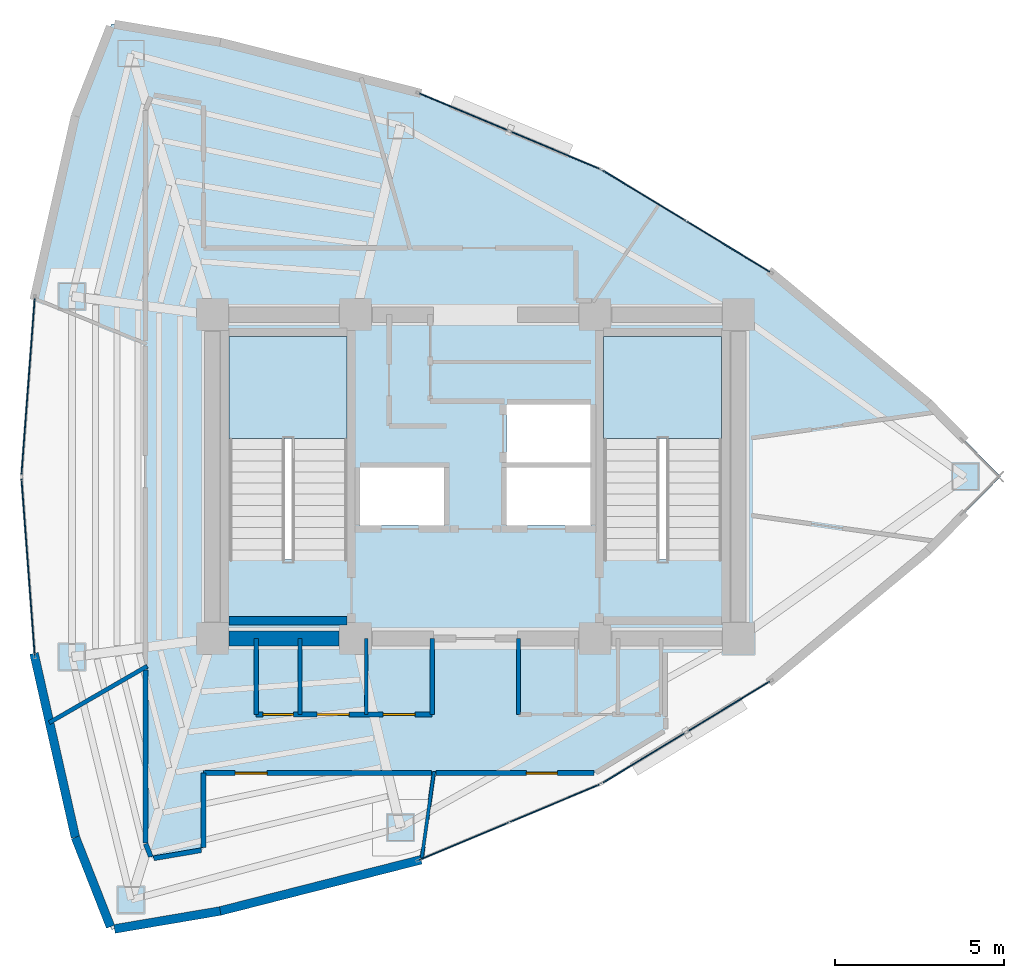
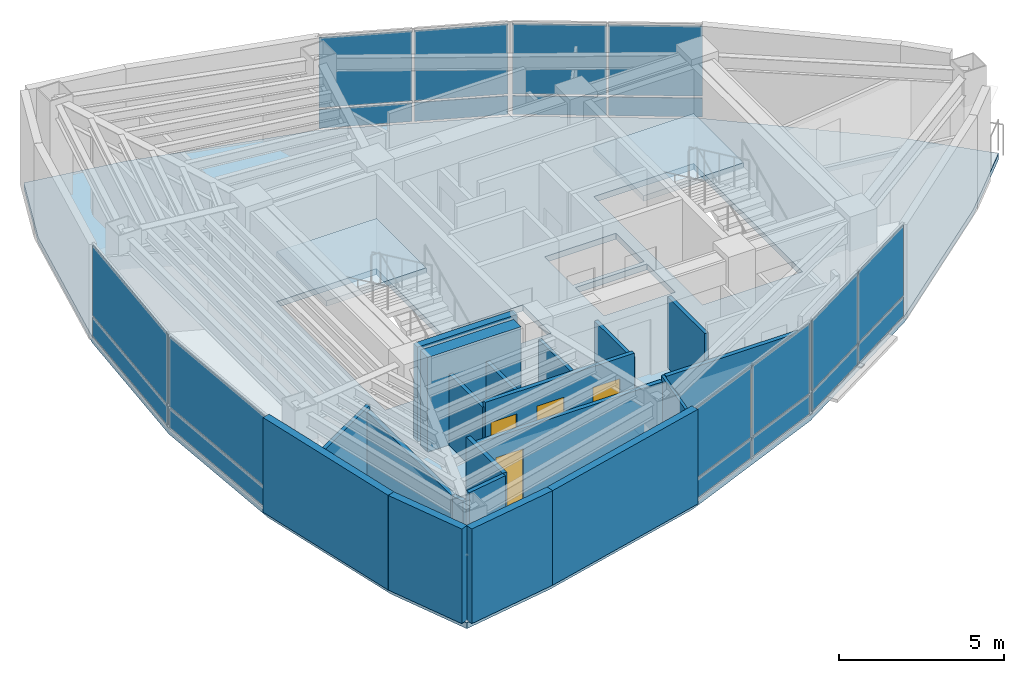
# One storey, part 11 of 15: 20 plates, 20 walls, 5 doors, 3 slabs, 5 openings, 8 elements without a shape of their own.
"""IFC4 building model written with IfcOpenShell, lengths in metres."""

import ifcopenshell
import ifcopenshell.guid

model = None  # the IFC model being written
_history = None  # IfcOwnerHistory: only IFC2X3 demands one
_inside = {}  # id of a spatial element -> (the spatial element, [elements in it])
_under = {}  # id of a project, library or spatial element -> (it, [spatial elements below it])
_declared = {}  # id of a project -> (the project, [libraries it declares])
_typed = {}  # id of a type object -> (the type object, [elements of that type])
_made_of = {}  # id of a material, layer set ... -> (it, [elements and type objects made of it])


def new_model(schema):
    """Start an empty IFC model of exactly this schema.

    Asked for "IFC4X3", IfcOpenShell would pick the latest addendum, in which some entities
    have other attributes; the version numbers below select the first issue.
    IFC2X3 requires an IfcOwnerHistory on every rooted entity: one is made here for all.
    """
    global model, _history
    if schema == "IFC4X3":
        model = ifcopenshell.file(schema_version=(4, 3, 0, 0))
    else:
        model = ifcopenshell.file(schema=schema)
    _inside.clear()
    _under.clear()
    _declared.clear()
    _typed.clear()
    _made_of.clear()
    _history = None
    if model.schema == "IFC2X3":
        org = make("IfcOrganization", Name="unknown")
        user = make(
            "IfcPersonAndOrganization",
            ThePerson=make("IfcPerson", FamilyName="unknown"),
            TheOrganization=org,
        )
        app = make(
            "IfcApplication",
            ApplicationDeveloper=org,
            Version="unknown",
            ApplicationFullName="unknown",
            ApplicationIdentifier="unknown",
        )
        _history = make(
            "IfcOwnerHistory",
            OwningUser=user,
            OwningApplication=app,
            ChangeAction="ADDED",
            CreationDate=0,
        )
    return model


def make(cls, **values):
    """One entity of the class cls with the attributes given. An attribute that is None is left unset."""
    return model.create_entity(
        cls, **{name: value for name, value in values.items() if value is not None}
    )


def rooted(cls, **values):
    """An entity with a GlobalId (a new one), such as an element, a storey or a relation."""
    return make(cls, GlobalId=ifcopenshell.guid.new(), OwnerHistory=_history, **values)


def si_unit(unit_type, name, prefix=None):
    """IfcSIUnit, for example si_unit("LENGTHUNIT", "METRE", prefix="MILLI")."""
    return make("IfcSIUnit", UnitType=unit_type, Prefix=prefix, Name=name)


def assignment(units):
    """IfcUnitAssignment: the units of a project."""
    return None if units is None else make("IfcUnitAssignment", Units=units)


def point(xyz):
    """IfcCartesianPoint."""
    return None if xyz is None else make("IfcCartesianPoint", Coordinates=xyz)


def direction(xyz):
    """IfcDirection."""
    return None if xyz is None else make("IfcDirection", DirectionRatios=xyz)


def frame(location, z_axis=None, x_axis=None):
    """IfcAxis2Placement3D, a coordinate frame: its origin and axes. An axis left out is left unset."""
    return make(
        "IfcAxis2Placement3D",
        Location=point(location),
        Axis=direction(z_axis),
        RefDirection=direction(x_axis),
    )


def frame_2d(location, x_axis=None):
    """IfcAxis2Placement2D, a coordinate frame in the plane: its origin and x axis."""
    return make(
        "IfcAxis2Placement2D", Location=point(location), RefDirection=direction(x_axis)
    )


def origin():
    """The frame at (0, 0, 0) with its axes left unset."""
    return frame((0.0, 0.0, 0.0))


def origin_2d():
    """The frame at (0, 0) in the plane with its x axis left unset."""
    return frame_2d((0.0, 0.0))


def place(relative_to, where):
    """IfcLocalPlacement: puts the frame where relative to a parent placement (None: the world)."""
    return make(
        "IfcLocalPlacement", PlacementRelTo=relative_to, RelativePlacement=where
    )


def context(
    kind, dimensions, precision=None, world=None, true_north=None, identifier=None
):
    """IfcGeometricRepresentationContext, for example the 3D "Model" context."""
    return make(
        "IfcGeometricRepresentationContext",
        ContextIdentifier=identifier,
        ContextType=kind,
        CoordinateSpaceDimension=dimensions,
        Precision=precision,
        WorldCoordinateSystem=world,
        TrueNorth=true_north,
    )


def subcontext(parent, identifier, kind, view, scale=None):
    """IfcGeometricRepresentationSubContext, for example "Body" below "Model"."""
    return make(
        "IfcGeometricRepresentationSubContext",
        ContextIdentifier=identifier,
        ContextType=kind,
        ParentContext=parent,
        TargetScale=scale,
        TargetView=view,
    )


def project(units=None, contexts=None):
    """IfcProject with its units and contexts."""
    return rooted(
        "IfcProject",
        Name="project",
        RepresentationContexts=contexts,
        UnitsInContext=assignment(units),
    )


def spatial(cls, under=None, at=None, **own):
    """A site, building, storey or space (cls), placed at a placement, below another one or the project."""
    s = rooted(cls, ObjectPlacement=at, **own)
    if under is not None:
        _under.setdefault(under.id(), (under, []))[1].append(s)
    return s


def polyline(points):
    """IfcPolyline through the points."""
    return make("IfcPolyline", Points=[point(p) for p in points])


def profile(cls, at=None, kind="AREA", **sizes):
    """A parametric profile (cls). Its sizes go by their IFC names, for example OverallWidth=200.0."""
    return make(cls, ProfileType=kind, Position=at, **sizes)


def rectangle(**sizes):
    """IfcRectangleProfileDef."""
    return profile("IfcRectangleProfileDef", **sizes)


def outline(outer, holes=None, kind="AREA"):
    """IfcArbitraryClosedProfileDef: a profile drawn as a closed curve; with holes, ...WithVoids."""
    if holes is None:
        return make("IfcArbitraryClosedProfileDef", ProfileType=kind, OuterCurve=outer)
    return make(
        "IfcArbitraryProfileDefWithVoids",
        ProfileType=kind,
        OuterCurve=outer,
        InnerCurves=holes,
    )


def extrude(swept, where, along, depth):
    """IfcExtrudedAreaSolid: the profile swept, set in the frame where, extruded along a direction by depth."""
    return make(
        "IfcExtrudedAreaSolid",
        SweptArea=swept,
        Position=where,
        ExtrudedDirection=direction(along),
        Depth=depth,
    )


def shape(context_of_items, identifier, shape_type, items):
    """IfcShapeRepresentation: the items that make up one representation, for example the "Body"."""
    return make(
        "IfcShapeRepresentation",
        ContextOfItems=context_of_items,
        RepresentationIdentifier=identifier,
        RepresentationType=shape_type,
        Items=items,
    )


def material(Name=None, Category=None):
    """IfcMaterial."""
    return make("IfcMaterial", Name=Name, Category=Category)


def layer(
    of_material, thickness, ventilated=None, Name=None, Category=None, Priority=None
):
    """IfcMaterialLayer: one layer of a wall or slab, of a material (None: an air gap)."""
    return make(
        "IfcMaterialLayer",
        Material=of_material,
        LayerThickness=thickness,
        IsVentilated=ventilated,
        Name=Name,
        Category=Category,
        Priority=Priority,
    )


def layer_set(layers, Name=None):
    """IfcMaterialLayerSet."""
    return make("IfcMaterialLayerSet", MaterialLayers=layers, LayerSetName=Name)


def made_of(thing, what):
    """Note that an element or type object is made of a material, layer set ...; save() writes the relation."""
    if what is not None:
        _made_of.setdefault(what.id(), (what, []))[1].append(thing)
    return thing


def type_object(cls, material=None, **own):
    """A type object (cls), such as IfcWallType, which elements share."""
    return made_of(rooted(cls, **own), material)


def element(
    cls,
    number,
    at=None,
    inside=None,
    cuts=None,
    type_object=None,
    material=None,
    context=None,
    identifier="Body",
    shape_type=None,
    held_by="IfcProductDefinitionShape",
    body=None,
    shapes=None,
    **own,
):
    """One element of the class cls, such as IfcWall. Its Tag is "e" and its number.

    at: its placement. inside: the storey or other place that contains it. cuts: it is an
    opening in that element (IfcRelVoidsElement). A single representation is given by context,
    identifier, shape_type and body (its items); several are given by shapes. held_by: the class
    of the entity that holds the representations. save() writes the other relations.
    """
    e = rooted(cls, Tag="e%d" % number, ObjectPlacement=at, **own)
    if body is not None:
        shapes = [shape(context, identifier, shape_type, body)]
    if shapes is not None:
        e.Representation = make(held_by, Representations=shapes)
    if inside is not None:
        _inside.setdefault(inside.id(), (inside, []))[1].append(e)
    if cuts is not None:
        rooted(
            "IfcRelVoidsElement", RelatingBuildingElement=cuts, RelatedOpeningElement=e
        )
    if type_object is not None:
        _typed.setdefault(type_object.id(), (type_object, []))[1].append(e)
    return made_of(e, material)


def fill(opening, filler):
    """IfcRelFillsElement: the door or window that sits in an opening."""
    return rooted(
        "IfcRelFillsElement",
        RelatingOpeningElement=opening,
        RelatedBuildingElement=filler,
    )


def aggregate(whole, parts):
    """IfcRelAggregates: a whole, such as a stair, and the parts it consists of."""
    return rooted("IfcRelAggregates", RelatingObject=whole, RelatedObjects=parts)


def save(model, path):
    """Write the relations noted so far, then the file.

    IfcRelAggregates (storeys below a building ...), IfcRelContainedInSpatialStructure (elements
    in a storey), IfcRelDefinesByType, IfcRelAssociatesMaterial and IfcRelDeclares: one each for
    every whole, place, type object, material and project.
    """
    for whole, parts in _under.values():
        aggregate(whole, parts)
    for where, things in _inside.values():
        rooted(
            "IfcRelContainedInSpatialStructure",
            RelatedElements=things,
            RelatingStructure=where,
        )
    for kind, things in _typed.values():
        rooted("IfcRelDefinesByType", RelatedObjects=things, RelatingType=kind)
    for what, things in _made_of.values():
        rooted("IfcRelAssociatesMaterial", RelatedObjects=things, RelatingMaterial=what)
    for by, libraries in _declared.values():
        rooted("IfcRelDeclares", RelatingContext=by, RelatedDefinitions=libraries)
    model.write(path)


model = new_model("IFC4")

# Units and contexts
model_context = context("Model", 3, precision=1e-05, world=origin(), true_north=direction((0.0, 1.0)))
body_context = subcontext(model_context, "Body", "Model", "MODEL_VIEW")
ifc_project = project(units=[si_unit("LENGTHUNIT", "METRE"), si_unit("AREAUNIT", "SQUARE_METRE"), si_unit("VOLUMEUNIT", "CUBIC_METRE"), si_unit("PLANEANGLEUNIT", "RADIAN"), si_unit("MASSUNIT", "GRAM", prefix="KILO")], contexts=[model_context])

# Site, building, storey
site_placement = place(None, origin())
site = spatial("IfcSite", under=ifc_project, at=site_placement, CompositionType="ELEMENT")
building_placement = place(site_placement, origin())
building = spatial("IfcBuilding", under=site, at=building_placement, Name="Menara Vayukalpa", CompositionType="ELEMENT")
storey_placement = place(building_placement, frame((0.0, 0.0, 288.06005859375)))
storey = spatial("IfcBuildingStorey", under=building, at=storey_placement, Name="L73", CompositionType="ELEMENT", Elevation=288.06005859375)

# Curtain wall, plates
ifc_material_1 = material(Name="Anodised Terracotta Aluminium Alloy 6063-T6", Category="masonry")
ifc_layer_1 = layer(ifc_material_1, 0.1650390625)
ifc_layer_set_1 = layer_set([ifc_layer_1], Name="Anodised Terracotta Aluminium Alloy 6063-T6")
curtain_wall_type = type_object("IfcCurtainWallType", Name="CW-CW6", PredefinedType="USERDEFINED", material=ifc_layer_set_1)
curtain_wall_1_placement = place(storey_placement, origin())
curtain_wall_1 = element("IfcCurtainWall", 1, at=curtain_wall_1_placement, inside=storey, type_object=curtain_wall_type, Name="L73 Observation and Executive Curtain Wall CW6 04", ObjectType="UNITISED", PredefinedType="USERDEFINED")
ifc_material_2 = material(Name="Low-E Double Glazing", Category="glass")
ifc_layer_2 = layer(ifc_material_2, 0.033935546875)
ifc_layer_set_2 = layer_set([ifc_layer_2], Name="Low-E Double Glazing")
plate_type = type_object("IfcPlateType", Name="CWP-CW6", PredefinedType="CURTAIN_PANEL", material=ifc_layer_set_2)
plate_1_placement = place(storey_placement, frame((33.102783203125, 28.814208984375, 0.074951171875), z_axis=(0.0, 0.0, 1.0), x_axis=(-0.854667609532, 0.519175574558, 0.0)))
plate_1 = element("IfcPlate", 2, at=plate_1_placement, type_object=plate_type, Name="CW6 panel 1.1", PredefinedType="CURTAIN_PANEL", context=body_context, shape_type="SweptSolid", body=[
    extrude(rectangle(XDim=2.8486328125, YDim=0.033935546875, at=origin_2d()), origin(), (0.0, 0.0, 1.0), 0.6875),
])
plate_2_placement = place(storey_placement, frame((33.102783203125, 28.814208984375, 0.83740234375), z_axis=(0.0, 0.0, 1.0), x_axis=(-0.854667609532, 0.519175574558, 0.0)))
plate_2 = element("IfcPlate", 3, at=plate_2_placement, type_object=plate_type, Name="CW6 panel 1.2", PredefinedType="CURTAIN_PANEL", context=body_context, shape_type="SweptSolid", body=[
    extrude(rectangle(XDim=2.8486328125, YDim=0.033935546875, at=origin_2d()), origin(), (0.0, 0.0, 1.0), 2.58740234375),
])
plate_3_placement = place(storey_placement, frame((30.608154296875, 30.329345703125, 0.074951171875), z_axis=(0.0, 0.0, 1.0), x_axis=(-0.854667609532, 0.519175574558, 0.0)))
plate_3 = element("IfcPlate", 4, at=plate_3_placement, type_object=plate_type, Name="CW6 panel 2.1", PredefinedType="CURTAIN_PANEL", context=body_context, shape_type="SweptSolid", body=[
    extrude(rectangle(XDim=2.8486328125, YDim=0.033935546875, at=origin_2d()), origin(), (0.0, 0.0, 1.0), 0.6875),
])
plate_4_placement = place(storey_placement, frame((30.608154296875, 30.329345703125, 0.83740234375), z_axis=(0.0, 0.0, 1.0), x_axis=(-0.854667609532, 0.519175574558, 0.0)))
plate_4 = element("IfcPlate", 5, at=plate_4_placement, type_object=plate_type, Name="CW6 panel 2.2", PredefinedType="CURTAIN_PANEL", context=body_context, shape_type="SweptSolid", body=[
    extrude(rectangle(XDim=2.8486328125, YDim=0.033935546875, at=origin_2d()), origin(), (0.0, 0.0, 1.0), 2.58740234375),
])
aggregate(curtain_wall_1, [plate_1, plate_2, plate_3, plate_4])

curtain_wall_2_placement = place(storey_placement, origin())
curtain_wall_2 = element("IfcCurtainWall", 6, at=curtain_wall_2_placement, inside=storey, type_object=curtain_wall_type, Name="L73 Observation and Executive Curtain Wall CW6 05", ObjectType="UNITISED", PredefinedType="USERDEFINED")
plate_5_placement = place(storey_placement, frame((27.952392578125, 31.681884765625, 0.074951171875), z_axis=(0.0, 0.0, 1.0), x_axis=(-0.922540653927, 0.385899911703, 0.0)))
plate_5 = element("IfcPlate", 7, at=plate_5_placement, type_object=plate_type, Name="CW6 panel 1.1", PredefinedType="CURTAIN_PANEL", context=body_context, shape_type="SweptSolid", body=[
    extrude(rectangle(XDim=2.8486328125, YDim=0.033935546875, at=origin_2d()), origin(), (0.0, 0.0, 1.0), 0.6875),
])
plate_6_placement = place(storey_placement, frame((27.952392578125, 31.681884765625, 0.83740234375), z_axis=(0.0, 0.0, 1.0), x_axis=(-0.922540653927, 0.385899911703, 0.0)))
plate_6 = element("IfcPlate", 8, at=plate_6_placement, type_object=plate_type, Name="CW6 panel 1.2", PredefinedType="CURTAIN_PANEL", context=body_context, shape_type="SweptSolid", body=[
    extrude(rectangle(XDim=2.8486328125, YDim=0.033935546875, at=origin_2d()), origin(), (0.0, 0.0, 1.0), 2.58740234375),
])
plate_7_placement = place(storey_placement, frame((25.259765625, 32.808349609375, 0.074951171875), z_axis=(0.0, 0.0, 1.0), x_axis=(-0.922540653927, 0.385899911703, 0.0)))
plate_7 = element("IfcPlate", 9, at=plate_7_placement, type_object=plate_type, Name="CW6 panel 2.1", PredefinedType="CURTAIN_PANEL", context=body_context, shape_type="SweptSolid", body=[
    extrude(rectangle(XDim=2.8486328125, YDim=0.033935546875, at=origin_2d()), origin(), (0.0, 0.0, 1.0), 0.6875),
])
plate_8_placement = place(storey_placement, frame((25.259765625, 32.808349609375, 0.83740234375), z_axis=(0.0, 0.0, 1.0), x_axis=(-0.922540653927, 0.385899911703, 0.0)))
plate_8 = element("IfcPlate", 10, at=plate_8_placement, type_object=plate_type, Name="CW6 panel 2.2", PredefinedType="CURTAIN_PANEL", context=body_context, shape_type="SweptSolid", body=[
    extrude(rectangle(XDim=2.8486328125, YDim=0.033935546875, at=origin_2d()), origin(), (0.0, 0.0, 1.0), 2.58740234375),
])
aggregate(curtain_wall_2, [plate_5, plate_6, plate_7, plate_8])

curtain_wall_3_placement = place(storey_placement, origin())
curtain_wall_3 = element("IfcCurtainWall", 11, at=curtain_wall_3_placement, inside=storey, type_object=curtain_wall_type, Name="L73 Observation and Executive Curtain Wall CW6 10", ObjectType="UNITISED", PredefinedType="USERDEFINED")
plate_9_placement = place(storey_placement, frame((12.33837890625, 24.67333984375, 0.074951171875), z_axis=(0.0, 0.0, 1.0), x_axis=(-0.074789484574, -0.997199344663, 0.0)))
plate_9 = element("IfcPlate", 12, at=plate_9_placement, type_object=plate_type, Name="CW6 panel 1.1", PredefinedType="CURTAIN_PANEL", context=body_context, shape_type="SweptSolid", body=[
    extrude(rectangle(XDim=5.2216796875, YDim=0.033935546875, at=origin_2d()), origin(), (0.0, 0.0, 1.0), 0.6875),
])
plate_10_placement = place(storey_placement, frame((12.33837890625, 24.67333984375, 0.83740234375), z_axis=(0.0, 0.0, 1.0), x_axis=(-0.074789484574, -0.997199344663, 0.0)))
plate_10 = element("IfcPlate", 13, at=plate_10_placement, type_object=plate_type, Name="CW6 panel 1.2", PredefinedType="CURTAIN_PANEL", context=body_context, shape_type="SweptSolid", body=[
    extrude(rectangle(XDim=5.2216796875, YDim=0.033935546875, at=origin_2d()), origin(), (0.0, 0.0, 1.0), 2.58740234375),
])
aggregate(curtain_wall_3, [plate_9, plate_10])

curtain_wall_4_placement = place(storey_placement, origin())
curtain_wall_4 = element("IfcCurtainWall", 14, at=curtain_wall_4_placement, inside=storey, type_object=curtain_wall_type, Name="L73 Observation and Executive Curtain Wall CW6 11", ObjectType="UNITISED", PredefinedType="USERDEFINED")
plate_11_placement = place(storey_placement, frame((12.33837890625, 19.32666015625, 0.074951171875), z_axis=(0.0, 0.0, 1.0), x_axis=(0.074789484574, -0.997199344663, 0.0)))
plate_11 = element("IfcPlate", 15, at=plate_11_placement, type_object=plate_type, Name="CW6 panel 1.1", PredefinedType="CURTAIN_PANEL", context=body_context, shape_type="SweptSolid", body=[
    extrude(rectangle(XDim=5.2216796875, YDim=0.033935546875, at=origin_2d()), origin(), (0.0, 0.0, 1.0), 0.6875),
])
plate_12_placement = place(storey_placement, frame((12.33837890625, 19.32666015625, 0.83740234375), z_axis=(0.0, 0.0, 1.0), x_axis=(0.074789484574, -0.997199344663, 0.0)))
plate_12 = element("IfcPlate", 16, at=plate_12_placement, type_object=plate_type, Name="CW6 panel 1.2", PredefinedType="CURTAIN_PANEL", context=body_context, shape_type="SweptSolid", body=[
    extrude(rectangle(XDim=5.2216796875, YDim=0.033935546875, at=origin_2d()), origin(), (0.0, 0.0, 1.0), 2.58740234375),
])
aggregate(curtain_wall_4, [plate_11, plate_12])

curtain_wall_5_placement = place(storey_placement, origin())
curtain_wall_5 = element("IfcCurtainWall", 17, at=curtain_wall_5_placement, inside=storey, type_object=curtain_wall_type, Name="L73 Observation and Executive Curtain Wall CW6 16", ObjectType="UNITISED", PredefinedType="USERDEFINED")
plate_13_placement = place(storey_placement, frame((25.259765625, 11.191650390625, 0.074951171875), z_axis=(0.0, 0.0, 1.0), x_axis=(0.922540653927, 0.385899911703, 0.0)))
plate_13 = element("IfcPlate", 18, at=plate_13_placement, type_object=plate_type, Name="CW6 panel 1.1", PredefinedType="CURTAIN_PANEL", context=body_context, shape_type="SweptSolid", body=[
    extrude(rectangle(XDim=2.8486328125, YDim=0.033935546875, at=origin_2d()), origin(), (0.0, 0.0, 1.0), 0.6875),
])
plate_14_placement = place(storey_placement, frame((25.259765625, 11.191650390625, 0.83740234375), z_axis=(0.0, 0.0, 1.0), x_axis=(0.922540653927, 0.385899911703, 0.0)))
plate_14 = element("IfcPlate", 19, at=plate_14_placement, type_object=plate_type, Name="CW6 panel 1.2", PredefinedType="CURTAIN_PANEL", context=body_context, shape_type="SweptSolid", body=[
    extrude(rectangle(XDim=2.8486328125, YDim=0.033935546875, at=origin_2d()), origin(), (0.0, 0.0, 1.0), 2.58740234375),
])
plate_15_placement = place(storey_placement, frame((27.952392578125, 12.318115234375, 0.074951171875), z_axis=(0.0, 0.0, 1.0), x_axis=(0.922540653927, 0.385899911703, 0.0)))
plate_15 = element("IfcPlate", 20, at=plate_15_placement, type_object=plate_type, Name="CW6 panel 2.1", PredefinedType="CURTAIN_PANEL", context=body_context, shape_type="SweptSolid", body=[
    extrude(rectangle(XDim=2.8486328125, YDim=0.033935546875, at=origin_2d()), origin(), (0.0, 0.0, 1.0), 0.6875),
])
plate_16_placement = place(storey_placement, frame((27.952392578125, 12.318115234375, 0.83740234375), z_axis=(0.0, 0.0, 1.0), x_axis=(0.922540653927, 0.385899911703, 0.0)))
plate_16 = element("IfcPlate", 21, at=plate_16_placement, type_object=plate_type, Name="CW6 panel 2.2", PredefinedType="CURTAIN_PANEL", context=body_context, shape_type="SweptSolid", body=[
    extrude(rectangle(XDim=2.8486328125, YDim=0.033935546875, at=origin_2d()), origin(), (0.0, 0.0, 1.0), 2.58740234375),
])
aggregate(curtain_wall_5, [plate_13, plate_14, plate_15, plate_16])

curtain_wall_6_placement = place(storey_placement, origin())
curtain_wall_6 = element("IfcCurtainWall", 22, at=curtain_wall_6_placement, inside=storey, type_object=curtain_wall_type, Name="L73 Observation and Executive Curtain Wall CW6 17", ObjectType="UNITISED", PredefinedType="USERDEFINED")
plate_17_placement = place(storey_placement, frame((30.608154296875, 13.670654296875, 0.074951171875), z_axis=(0.0, 0.0, 1.0), x_axis=(0.854667609532, 0.519175574558, 0.0)))
plate_17 = element("IfcPlate", 23, at=plate_17_placement, type_object=plate_type, Name="CW6 panel 1.1", PredefinedType="CURTAIN_PANEL", context=body_context, shape_type="SweptSolid", body=[
    extrude(rectangle(XDim=2.8486328125, YDim=0.033935546875, at=origin_2d()), origin(), (0.0, 0.0, 1.0), 0.6875),
])
plate_18_placement = place(storey_placement, frame((30.608154296875, 13.670654296875, 0.83740234375), z_axis=(0.0, 0.0, 1.0), x_axis=(0.854667609532, 0.519175574558, 0.0)))
plate_18 = element("IfcPlate", 24, at=plate_18_placement, type_object=plate_type, Name="CW6 panel 1.2", PredefinedType="CURTAIN_PANEL", context=body_context, shape_type="SweptSolid", body=[
    extrude(rectangle(XDim=2.8486328125, YDim=0.033935546875, at=origin_2d()), origin(), (0.0, 0.0, 1.0), 2.58740234375),
])
plate_19_placement = place(storey_placement, frame((33.102783203125, 15.185791015625, 0.074951171875), z_axis=(0.0, 0.0, 1.0), x_axis=(0.854667609532, 0.519175574558, 0.0)))
plate_19 = element("IfcPlate", 25, at=plate_19_placement, type_object=plate_type, Name="CW6 panel 2.1", PredefinedType="CURTAIN_PANEL", context=body_context, shape_type="SweptSolid", body=[
    extrude(rectangle(XDim=2.8486328125, YDim=0.033935546875, at=origin_2d()), origin(), (0.0, 0.0, 1.0), 0.6875),
])
plate_20_placement = place(storey_placement, frame((33.102783203125, 15.185791015625, 0.83740234375), z_axis=(0.0, 0.0, 1.0), x_axis=(0.854667609532, 0.519175574558, 0.0)))
plate_20 = element("IfcPlate", 26, at=plate_20_placement, type_object=plate_type, Name="CW6 panel 2.2", PredefinedType="CURTAIN_PANEL", context=body_context, shape_type="SweptSolid", body=[
    extrude(rectangle(XDim=2.8486328125, YDim=0.033935546875, at=origin_2d()), origin(), (0.0, 0.0, 1.0), 2.58740234375),
])
aggregate(curtain_wall_6, [plate_17, plate_18, plate_19, plate_20])

# Slab
ifc_material_3 = material(Name="Concrete C40/50", Category="concrete")
ifc_layer_3 = layer(ifc_material_3, 0.219970703125)
ifc_layer_set_3 = layer_set([ifc_layer_3], Name="Concrete C40/50")
slab_type_1 = type_object("IfcSlabType", Name="SLB-FL220", PredefinedType="FLOOR", material=ifc_layer_set_3)
slab_1_placement = place(storey_placement, frame((0.0, 0.0, -0.219970703125)))
element("IfcSlab", 27, at=slab_1_placement, inside=storey, type_object=slab_type_1, Name="L73 Structural Floor Slab", PredefinedType="FLOOR", context=body_context, shape_type="SweptSolid", body=[
    extrude(outline(polyline([(39.02783203125, 19.816162109375), (41.171875, 22.0), (39.02783203125, 24.183837890625), (34.3798828125, 28.038330078125), (29.3310546875, 31.105224609375), (23.881103515625, 33.385009765625), (18.0302734375, 34.877197265625), (14.814208984375, 35.423095703125), (13.741943359375, 32.693359375), (12.5390625, 27.3466796875), (12.137939453125, 22.0), (12.5390625, 16.6533203125), (13.741943359375, 11.306640625), (14.814208984375, 8.576904296875), (18.0302734375, 9.122802734375), (23.881103515625, 10.614990234375), (29.3310546875, 12.894775390625), (34.3798828125, 15.961669921875), (39.02783203125, 19.816162109375)]), holes=[polyline([(21.800048828125, 19.550048828125), (21.800048828125, 26.14990234375), (18.300048828125, 26.14990234375), (18.300048828125, 19.550048828125), (21.800048828125, 19.550048828125)]), polyline([(32.89990234375, 19.550048828125), (32.89990234375, 26.14990234375), (29.39990234375, 26.14990234375), (29.39990234375, 19.550048828125), (32.89990234375, 19.550048828125)]), polyline([(22.179931640625, 20.550048828125), (24.679931640625, 20.550048828125), (24.679931640625, 22.27001953125), (22.179931640625, 22.27001953125), (22.179931640625, 20.550048828125)]), polyline([(26.52001953125, 20.550048828125), (29.02001953125, 20.550048828125), (29.02001953125, 22.27001953125), (26.52001953125, 22.27001953125), (26.52001953125, 20.550048828125)]), polyline([(26.52001953125, 22.419921875), (29.02001953125, 22.419921875), (29.02001953125, 24.139892578125), (26.52001953125, 24.139892578125), (26.52001953125, 22.419921875)])]), origin(), (0.0, 0.0, 1.0), 0.219970703125),
])

# Stair, slab
ifc_material_4 = material(Name="Precast Concrete C40/50", Category="concrete")
stair_type = type_object("IfcStairType", Name="STR-T04", PredefinedType="DOUBLE_RETURN_STAIR", material=ifc_material_4)
stair_1_placement = place(storey_placement, origin())
stair_1 = element("IfcStair", 28, at=stair_1_placement, inside=storey, type_object=stair_type, Name="L73 Core Exit Stair ST-1", PredefinedType="DOUBLE_RETURN_STAIR")
ifc_material_5 = material(Name="Precast Concrete C40/50", Category="concrete")
ifc_layer_4 = layer(ifc_material_5, 0.199951171875)
ifc_layer_set_4 = layer_set([ifc_layer_4], Name="Precast Concrete C40/50")
slab_type_2 = type_object("IfcSlabType", Name="SLB-LND200", PredefinedType="LANDING", material=ifc_layer_set_4)
slab_2_placement = place(storey_placement, frame((0.0, 0.0, 1.659912109375)))
slab_2 = element("IfcSlab", 29, at=slab_2_placement, type_object=slab_type_2, Name="ST-1 landing 1", PredefinedType="LANDING", context=body_context, shape_type="SweptSolid", body=[
    extrude(outline(polyline([(21.800048828125, 23.1298828125), (21.800048828125, 26.14990234375), (18.300048828125, 26.14990234375), (18.300048828125, 23.1298828125), (21.800048828125, 23.1298828125)])), origin(), (0.0, 0.0, 1.0), 0.199951171875),
])
aggregate(stair_1, [slab_2])

stair_2_placement = place(storey_placement, origin())
stair_2 = element("IfcStair", 30, at=stair_2_placement, inside=storey, type_object=stair_type, Name="L73 Core Exit Stair ST-2", PredefinedType="DOUBLE_RETURN_STAIR")
slab_3_placement = place(storey_placement, frame((0.0, 0.0, 1.659912109375)))
slab_3 = element("IfcSlab", 31, at=slab_3_placement, type_object=slab_type_2, Name="ST-2 landing 1", PredefinedType="LANDING", context=body_context, shape_type="SweptSolid", body=[
    extrude(outline(polyline([(32.89990234375, 23.1298828125), (32.89990234375, 26.14990234375), (29.39990234375, 26.14990234375), (29.39990234375, 23.1298828125), (32.89990234375, 23.1298828125)])), origin(), (0.0, 0.0, 1.0), 0.199951171875),
])
aggregate(stair_2, [slab_3])

# Walls
ifc_material_6 = material(Name="Concrete C50/60", Category="concrete")
ifc_layer_5 = layer(ifc_material_6, 0.449951171875)
ifc_layer_set_5 = layer_set([ifc_layer_5], Name="Concrete C50/60")
wall_type_1 = type_object("IfcWallType", Name="WAL-CW450", PredefinedType="SHEAR", material=ifc_layer_set_5)
wall_1_placement = place(storey_placement, frame((18.294921875, 17.199951171875, 0.0), z_axis=(0.0, 0.0, 1.0), x_axis=(1.0, 0.0, 0.0)))
element("IfcWall", 32, at=wall_1_placement, inside=storey, type_object=wall_type_1, Name="L73 Buttressed Core Shear Wall CWS1", PredefinedType="SHEAR", context=body_context, shape_type="SweptSolid", body=[
    extrude(rectangle(XDim=3.260009765625, YDim=0.449951171875, at=frame_2d((1.6298828125, 0.0))), origin(), (0.0, 0.0, 1.0), 3.5),
])
ifc_material_7 = material(Name="Insulated Precast Concrete C40/50", Category="concrete")
ifc_layer_6 = layer(ifc_material_7, 0.260009765625)
ifc_layer_set_6 = layer_set([ifc_layer_6], Name="Insulated Precast Concrete C40/50")
wall_type_2 = type_object("IfcWallType", Name="WAL-EXT260", PredefinedType="PARTITIONING", material=ifc_layer_set_6)
wall_2_placement = place(storey_placement, frame((13.741943359375, 11.306640625, 0.0), z_axis=(0.0, 0.0, 1.0), x_axis=(-0.219500763731, 0.97561232809, 0.0)))
element("IfcWall", 33, at=wall_2_placement, inside=storey, type_object=wall_type_2, Name="L73 Perimeter Terracotta Pier Wall 12", PredefinedType="PARTITIONING", context=body_context, shape_type="SweptSolid", body=[
    extrude(rectangle(XDim=5.590087890625, YDim=0.260009765625, at=frame_2d((2.794921875, 0.0))), origin(), (0.0, 0.0, 1.0), 3.5),
])
wall_3_placement = place(storey_placement, frame((14.7822265625, 8.658203125, 0.0), z_axis=(0.0, 0.0, 1.0), x_axis=(-0.36559927932, 0.930772349697, 0.0)))
element("IfcWall", 34, at=wall_3_placement, inside=storey, type_object=wall_type_2, Name="L73 Perimeter Terracotta Pier Wall 13", PredefinedType="PARTITIONING", context=body_context, shape_type="SweptSolid", body=[
    extrude(rectangle(XDim=2.845458984375, YDim=0.260009765625, at=frame_2d((1.4228515625, 0.0))), origin(), (0.0, 0.0, 1.0), 3.5),
])
wall_4_placement = place(storey_placement, frame((18.0361328125, 9.123779296875, 0.0), z_axis=(0.0, 0.0, 1.0), x_axis=(-0.985889432766, -0.167397808709, 0.0)))
element("IfcWall", 35, at=wall_4_placement, inside=storey, type_object=wall_type_2, Name="L73 Perimeter Terracotta Pier Wall 14", PredefinedType="PARTITIONING", context=body_context, shape_type="SweptSolid", body=[
    extrude(rectangle(XDim=3.180908203125, YDim=0.260009765625, at=frame_2d((1.59033203125, 0.0))), origin(), (0.0, 0.0, 1.0), 3.5),
])
wall_5_placement = place(storey_placement, frame((23.98779296875, 10.64208984375, 0.0), z_axis=(0.0, 0.0, 1.0), x_axis=(-0.968988278672, -0.247106689096, 0.0)))
element("IfcWall", 36, at=wall_5_placement, inside=storey, type_object=wall_type_2, Name="L73 Perimeter Terracotta Pier Wall 15", PredefinedType="PARTITIONING", context=body_context, shape_type="SweptSolid", body=[
    extrude(rectangle(XDim=6.154296875, YDim=0.260009765625, at=frame_2d((3.0771484375, 0.0))), origin(), (0.0, 0.0, 1.0), 3.5),
])
ifc_material_8 = material(Name="Glazed Demountable Office Partition", Category="glass")
ifc_layer_7 = layer(ifc_material_8, 0.094970703125)
ifc_layer_set_7 = layer_set([ifc_layer_7], Name="Glazed Demountable Office Partition")
wall_type_3 = type_object("IfcWallType", Name="WAL-PT100", PredefinedType="PARTITIONING", material=ifc_layer_set_7)
wall_6_placement = place(storey_placement, frame((24.37158203125, 13.260009765625, 0.0), z_axis=(0.0, 0.0, 1.0), x_axis=(-0.139185119823, -0.990266379526, 0.0)))
element("IfcWall", 37, at=wall_6_placement, inside=storey, type_object=wall_type_3, Name="L73 Interior Partition IW-L73-RDIV06", PredefinedType="PARTITIONING", context=body_context, shape_type="SweptSolid", body=[
    extrude(rectangle(XDim=2.62939453125, YDim=0.094970703125, at=frame_2d((1.314697265625, 0.0))), origin(), (0.0, 0.0, 1.0), 2.97998046875),
])
ifc_material_9 = material(Name="Acoustic Mineral Stud Partition", Category="masonry")
ifc_layer_8 = layer(ifc_material_9, 0.110107421875)
ifc_layer_set_8 = layer_set([ifc_layer_8], Name="Acoustic Mineral Stud Partition")
wall_type_4 = type_object("IfcWallType", Name="WAL-PT110", PredefinedType="PARTITIONING", material=ifc_layer_set_8)
wall_7_placement = place(storey_placement, frame((22.360107421875, 14.949951171875, 0.0), z_axis=(0.0, 0.0, 1.0), x_axis=(0.0, 1.0, 0.0)))
element("IfcWall", 38, at=wall_7_placement, inside=storey, type_object=wall_type_4, Name="L73 Interior Partition IW-L73-SVCD-03", PredefinedType="PARTITIONING", context=body_context, shape_type="SweptSolid", body=[
    extrude(rectangle(XDim=2.25, YDim=0.110107421875, at=frame_2d((1.125, 0.0))), origin(), (0.0, 0.0, 1.0), 2.6298828125),
])
ifc_material_10 = material(Name="Gypsum Drywall Steel Stud Assembly", Category="steel")
ifc_layer_9 = layer(ifc_material_10, 0.125)
ifc_layer_set_9 = layer_set([ifc_layer_9], Name="Gypsum Drywall Steel Stud Assembly")
wall_type_5 = type_object("IfcWallType", Name="WAL-PT125", PredefinedType="PARTITIONING", material=ifc_layer_set_9)
for number, where, z_axis, x_axis, name in (
    (39, (19.10009765625, 14.949951171875, 0.0), (0.0, 0.0, 1.0), (0.0, 1.0, 0.0), "L73 Interior Partition IW-L73-SVCD-01"),
    (40, (20.39990234375, 14.949951171875, 0.0), (0.0, 0.0, 1.0), (0.0, 1.0, 0.0), "L73 Interior Partition IW-L73-SVCD-02"),
    (41, (24.320068359375, 14.949951171875, 0.0), (0.0, 0.0, 1.0), (0.0, 1.0, 0.0), "L73 Interior Partition IW-L73-SVCD-04"),
    (42, (26.8798828125, 14.949951171875, 0.0), (0.0, 0.0, 1.0), (0.0, 1.0, 0.0), "L73 Interior Partition IW-L73-SVCD-05"),
):
    element("IfcWall", number, at=place(storey_placement, frame(where, z_axis=z_axis, x_axis=x_axis)), inside=storey, type_object=wall_type_5, Name=name, PredefinedType="PARTITIONING", context=body_context, shape_type="SweptSolid", body=[
        extrude(rectangle(XDim=2.25, YDim=0.125, at=frame_2d((1.125, 0.0))), origin(), (0.0, 0.0, 1.0), 2.6298828125),
    ])
wall_8_placement = place(storey_placement, frame((15.8701171875, 16.38232421875, 0.0), z_axis=(0.0, 0.0, 1.0), x_axis=(-0.866052188221, -0.499953605124, 0.0)))
element("IfcWall", 43, at=wall_8_placement, inside=storey, type_object=wall_type_5, Name="L73 Interior Partition IW-L73-RDIV05", PredefinedType="PARTITIONING", context=body_context, shape_type="SweptSolid", body=[
    extrude(rectangle(XDim=3.352294921875, YDim=0.125, at=frame_2d((1.67626953125, 0.0))), origin(), (0.0, 0.0, 1.0), 2.97998046875),
])

# Wall, openings, doors
ifc_material_11 = material(Name="Gypsum Drywall Acoustic Stud Assembly", Category="masonry")
ifc_layer_10 = layer(ifc_material_11, 0.14501953125)
ifc_layer_set_10 = layer_set([ifc_layer_10], Name="Gypsum Drywall Acoustic Stud Assembly")
wall_type_6 = type_object("IfcWallType", Name="WAL-PT150", PredefinedType="PARTITIONING", material=ifc_layer_set_10)
wall_9_placement = place(storey_placement, frame((19.10009765625, 14.949951171875, 0.0), z_axis=(0.0, 0.0, 1.0), x_axis=(1.0, 0.0, 0.0)))
wall_9 = element("IfcWall", 44, at=wall_9_placement, inside=storey, type_object=wall_type_6, Name="L73 Interior Partition IW-L73-SVCS-W", PredefinedType="PARTITIONING", context=body_context, shape_type="SweptSolid", body=[
    extrude(rectangle(XDim=5.219970703125, YDim=0.14501953125, at=frame_2d((2.60986328125, 0.0))), origin(), (0.0, 0.0, 1.0), 2.829833984375),
])
opening_1_placement = place(wall_9_placement, frame((0.199951171875, 0.0, 0.0)))
opening_1 = element("IfcOpeningElement", 45, at=opening_1_placement, cuts=wall_9, Name="Opening ID7", PredefinedType="OPENING", context=body_context, shape_type="SweptSolid", body=[
    extrude(rectangle(XDim=0.89990234375, YDim=2.02001953125, at=frame_2d((0.449951171875, 1.010009765625))), frame((0.0, 0.08251953125, 0.0), z_axis=(0.0, -1.0, 0.0), x_axis=(1.0, 0.0, 0.0)), (0.0, 0.0, 1.0), 0.1650390625),
])
opening_2_placement = place(wall_9_placement, frame((1.804931640625, 0.0, 0.0)))
opening_2 = element("IfcOpeningElement", 46, at=opening_2_placement, cuts=wall_9, Name="Opening ID5", PredefinedType="OPENING", context=body_context, shape_type="SweptSolid", body=[
    extrude(rectangle(XDim=0.949951171875, YDim=2.06005859375, at=frame_2d((0.47509765625, 1.030029296875))), frame((0.0, 0.08251953125, 0.0), z_axis=(0.0, -1.0, 0.0), x_axis=(1.0, 0.0, 0.0)), (0.0, 0.0, 1.0), 0.1650390625),
])
opening_3_placement = place(wall_9_placement, frame((3.764892578125, 0.0, 0.0)))
opening_3 = element("IfcOpeningElement", 47, at=opening_3_placement, cuts=wall_9, Name="Opening ID5", PredefinedType="OPENING", context=body_context, shape_type="SweptSolid", body=[
    extrude(rectangle(XDim=0.949951171875, YDim=2.06005859375, at=frame_2d((0.47509765625, 1.030029296875))), frame((0.0, 0.08251953125, 0.0), z_axis=(0.0, -1.0, 0.0), x_axis=(1.0, 0.0, 0.0)), (0.0, 0.0, 1.0), 0.1650390625),
])
ifc_material_12 = material(Name="Acoustic Hardwood Veneer Timber Door", Category="wood")
door_type_1 = type_object("IfcDoorType", Name="DR-INT95", OperationType="NOTDEFINED", PredefinedType="DOOR", material=ifc_material_12)
door_1_placement = place(opening_2_placement, origin())
door_1 = element("IfcDoor", 48, at=door_1_placement, inside=storey, type_object=door_type_1, Name="L73 Interior Door DR-L73-AWC", OperationType="SINGLE_SWING_LEFT", OverallHeight=2.06005859375, OverallWidth=0.949951171875, PredefinedType="DOOR", context=body_context, shape_type="SweptSolid", body=[
    extrude(rectangle(XDim=0.949951171875, YDim=2.06005859375, at=frame_2d((0.47509765625, 1.030029296875))), frame((0.0, 0.02490234375, 0.0), z_axis=(0.0, -1.0, 0.0), x_axis=(1.0, 0.0, 0.0)), (0.0, 0.0, 1.0), 0.050048828125),
])
fill(opening_2, door_1)
door_2_placement = place(opening_3_placement, origin())
door_2 = element("IfcDoor", 49, at=door_2_placement, inside=storey, type_object=door_type_1, Name="L73 Interior Door DR-L73-SWC", OperationType="SINGLE_SWING_RIGHT", OverallHeight=2.06005859375, OverallWidth=0.949951171875, PredefinedType="DOOR", context=body_context, shape_type="SweptSolid", body=[
    extrude(rectangle(XDim=0.949951171875, YDim=2.06005859375, at=frame_2d((0.47509765625, 1.030029296875))), frame((0.0, 0.02490234375, 0.0), z_axis=(0.0, -1.0, 0.0), x_axis=(1.0, 0.0, 0.0)), (0.0, 0.0, 1.0), 0.050048828125),
])
fill(opening_3, door_2)
ifc_material_13 = material(Name="Powder-Coated Steel Riser Access Door", Category="steel")
door_type_2 = type_object("IfcDoorType", Name="DR-RISER", OperationType="NOTDEFINED", PredefinedType="DOOR", material=ifc_material_13)
door_3_placement = place(opening_1_placement, origin())
door_3 = element("IfcDoor", 50, at=door_3_placement, inside=storey, type_object=door_type_2, Name="L73 Interior Door DR-L73-ELR", OperationType="SINGLE_SWING_RIGHT", OverallHeight=2.02001953125, OverallWidth=0.89990234375, PredefinedType="DOOR", context=body_context, shape_type="SweptSolid", body=[
    extrude(rectangle(XDim=0.89990234375, YDim=2.02001953125, at=frame_2d((0.449951171875, 1.010009765625))), frame((0.0, 0.02490234375, 0.0), z_axis=(0.0, -1.0, 0.0), x_axis=(1.0, 0.0, 0.0)), (0.0, 0.0, 1.0), 0.050048828125),
])
fill(opening_1, door_3)

# Walls
wall_10_placement = place(storey_placement, frame((15.820068359375, 16.272705078125, 0.0), z_axis=(0.0, 0.0, 1.0), x_axis=(0.0, -1.0, 0.0)))
element("IfcWall", 51, at=wall_10_placement, inside=storey, type_object=wall_type_6, Name="L73 Interior Partition IW-L73-CRM03-1", PredefinedType="PARTITIONING", context=body_context, shape_type="SweptSolid", body=[
    extrude(rectangle(XDim=5.12646484375, YDim=0.14501953125, at=frame_2d((2.563232421875, 0.0))), origin(), (0.0, 0.0, 1.0), 2.829833984375),
])
wall_11_placement = place(storey_placement, frame((15.825439453125, 11.116943359375, 0.0), z_axis=(0.0, 0.0, 1.0), x_axis=(0.365633948196, -0.930758731319, 0.0)))
element("IfcWall", 52, at=wall_11_placement, inside=storey, type_object=wall_type_6, Name="L73 Interior Partition IW-L73-CRM03-2", PredefinedType="PARTITIONING", context=body_context, shape_type="SweptSolid", body=[
    extrude(rectangle(XDim=0.409912109375, YDim=0.14501953125, at=frame_2d((0.205078125, 0.0))), origin(), (0.0, 0.0, 1.0), 2.829833984375),
])
wall_12_placement = place(storey_placement, frame((16.063232421875, 10.685546875, 0.0), z_axis=(0.0, 0.0, 1.0), x_axis=(0.985881780308, 0.167442871621, 0.0)))
element("IfcWall", 53, at=wall_12_placement, inside=storey, type_object=wall_type_6, Name="L73 Interior Partition IW-L73-CRM03-3", PredefinedType="PARTITIONING", context=body_context, shape_type="SweptSolid", body=[
    extrude(rectangle(XDim=1.430419921875, YDim=0.14501953125, at=frame_2d((0.71533203125, 0.0))), origin(), (0.0, 0.0, 1.0), 3.1298828125),
])
wall_13_placement = place(storey_placement, frame((17.5400390625, 11.00390625, 0.0), z_axis=(0.0, 0.0, 1.0), x_axis=(0.0, 1.0, 0.0)))
element("IfcWall", 54, at=wall_13_placement, inside=storey, type_object=wall_type_6, Name="L73 Interior Partition IW-L73-CRM03-4", PredefinedType="PARTITIONING", context=body_context, shape_type="SweptSolid", body=[
    extrude(rectangle(XDim=2.2060546875, YDim=0.14501953125, at=frame_2d((1.10302734375, 0.0))), origin(), (0.0, 0.0, 1.0), 3.1298828125),
])

# Wall, opening, door
wall_14_placement = place(storey_placement, frame((17.5400390625, 13.2099609375, 0.0), z_axis=(0.0, 0.0, 1.0), x_axis=(1.0, 0.0, 0.0)))
wall_14 = element("IfcWall", 55, at=wall_14_placement, inside=storey, type_object=wall_type_6, Name="L73 Interior Partition IW-L73-CRM03-5", PredefinedType="PARTITIONING", context=body_context, shape_type="SweptSolid", body=[
    extrude(rectangle(XDim=6.75390625, YDim=0.14501953125, at=frame_2d((3.376953125, 0.0))), origin(), (0.0, 0.0, 1.0), 2.829833984375),
])
opening_4_placement = place(wall_14_placement, frame((0.935546875, 0.0, 0.0)))
opening_4 = element("IfcOpeningElement", 56, at=opening_4_placement, cuts=wall_14, Name="Opening ID5", PredefinedType="OPENING", context=body_context, shape_type="SweptSolid", body=[
    extrude(rectangle(XDim=0.949951171875, YDim=2.06005859375, at=frame_2d((0.47509765625, 1.030029296875))), frame((0.0, 0.08251953125, 0.0), z_axis=(0.0, -1.0, 0.0), x_axis=(1.0, 0.0, 0.0)), (0.0, 0.0, 1.0), 0.1650390625),
])
door_4_placement = place(opening_4_placement, origin())
door_4 = element("IfcDoor", 57, at=door_4_placement, inside=storey, type_object=door_type_1, Name="L73 Interior Door DR-L73-RM03", OperationType="SINGLE_SWING_LEFT", OverallHeight=2.06005859375, OverallWidth=0.949951171875, PredefinedType="DOOR", context=body_context, shape_type="SweptSolid", body=[
    extrude(rectangle(XDim=0.949951171875, YDim=2.06005859375, at=frame_2d((0.47509765625, 1.030029296875))), frame((0.0, 0.02490234375, 0.0), z_axis=(0.0, -1.0, 0.0), x_axis=(1.0, 0.0, 0.0)), (0.0, 0.0, 1.0), 0.050048828125),
])
fill(opening_4, door_4)

wall_15_placement = place(storey_placement, frame((24.435302734375, 13.2099609375, 0.0), z_axis=(0.0, 0.0, 1.0), x_axis=(1.0, 0.0, 0.0)))
wall_15 = element("IfcWall", 58, at=wall_15_placement, inside=storey, type_object=wall_type_6, Name="L73 Interior Partition IW-L73-CRM04-1", PredefinedType="PARTITIONING", context=body_context, shape_type="SweptSolid", body=[
    extrude(rectangle(XDim=4.674560546875, YDim=0.14501953125, at=frame_2d((2.33740234375, 0.0))), origin(), (0.0, 0.0, 1.0), 2.97998046875),
])
opening_5_placement = place(wall_15_placement, frame((2.67578125, 0.0, 0.0)))
opening_5 = element("IfcOpeningElement", 59, at=opening_5_placement, cuts=wall_15, Name="Opening ID6", PredefinedType="OPENING", context=body_context, shape_type="SweptSolid", body=[
    extrude(rectangle(XDim=0.919921875, YDim=2.050048828125, at=frame_2d((0.4599609375, 1.02490234375))), frame((0.0, 0.08251953125, 0.0), z_axis=(0.0, -1.0, 0.0), x_axis=(1.0, 0.0, 0.0)), (0.0, 0.0, 1.0), 0.1650390625),
])
ifc_material_14 = material(Name="Acoustic Hardwood Veneer Timber Door", Category="wood")
door_type_3 = type_object("IfcDoorType", Name="DR-INT92", OperationType="NOTDEFINED", PredefinedType="DOOR", material=ifc_material_14)
door_5_placement = place(opening_5_placement, origin())
door_5 = element("IfcDoor", 60, at=door_5_placement, inside=storey, type_object=door_type_3, Name="L73 Interior Door DR-L73-RM04", OperationType="SINGLE_SWING_RIGHT", OverallHeight=2.050048828125, OverallWidth=0.919921875, PredefinedType="DOOR", context=body_context, shape_type="SweptSolid", body=[
    extrude(rectangle(XDim=0.919921875, YDim=2.050048828125, at=frame_2d((0.4599609375, 1.02490234375))), frame((0.0, 0.02490234375, 0.0), z_axis=(0.0, -1.0, 0.0), x_axis=(1.0, 0.0, 0.0)), (0.0, 0.0, 1.0), 0.050048828125),
])
fill(opening_5, door_5)

# Wall
ifc_material_15 = material(Name="Concrete C50/60", Category="concrete")
ifc_layer_11 = layer(ifc_material_15, 0.25)
ifc_layer_set_11 = layer_set([ifc_layer_11], Name="Concrete C50/60")
wall_type_7 = type_object("IfcWallType", Name="WAL-SW250", PredefinedType="SHEAR", material=ifc_layer_set_11)
wall_16_placement = place(storey_placement, frame((18.300048828125, 17.72509765625, 0.0), z_axis=(0.0, 0.0, 1.0), x_axis=(1.0, 0.0, 0.0)))
element("IfcWall", 61, at=wall_16_placement, inside=storey, type_object=wall_type_7, Name="L73 ST1 Structural Stair Shaft Wall S", PredefinedType="SHEAR", context=body_context, shape_type="SweptSolid", body=[
    extrude(rectangle(XDim=3.5, YDim=0.25, at=frame_2d((1.75, 0.0))), origin(), (0.0, 0.0, 1.0), 3.5),
])

save(model, "model.ifc")
